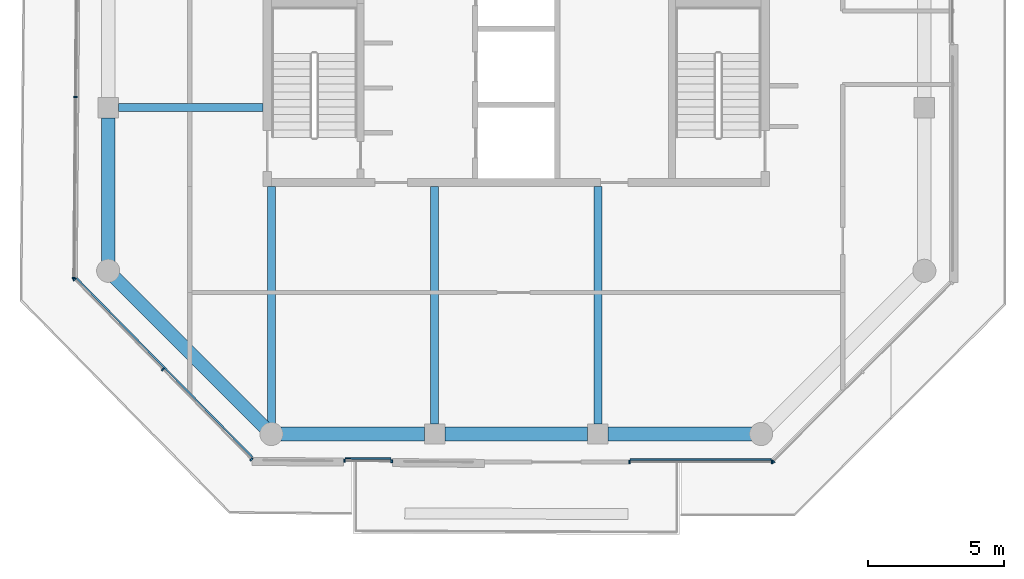
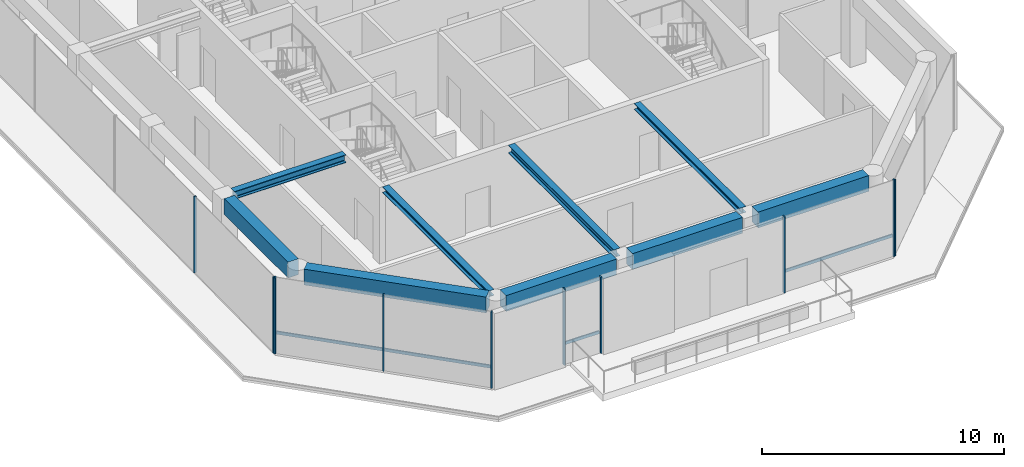
# One storey, part 2 of 18: 13 members, 9 beams, 5 elements without a shape of their own.
"""IFC4 building model written with IfcOpenShell, lengths in metres."""

from ifc_helpers import new_model, si_unit, direction, frame, origin, origin_2d, place, context, subcontext, project, spatial, rectangle, i_section, extrude, material, layer, layer_set, material_profile, profile_set, type_object, element, aggregate, save


model = new_model("IFC4")

# Units and contexts
model_context = context("Model", 3, precision=1e-05, world=origin(), true_north=direction((0.0, 1.0)))
body_context = subcontext(model_context, "Body", "Model", "MODEL_VIEW")
ifc_project = project(units=[si_unit("LENGTHUNIT", "METRE"), si_unit("AREAUNIT", "SQUARE_METRE"), si_unit("VOLUMEUNIT", "CUBIC_METRE"), si_unit("PLANEANGLEUNIT", "RADIAN"), si_unit("MASSUNIT", "GRAM", prefix="KILO")], contexts=[model_context])

# Site, building, storey
site_placement = place(None, origin())
site = spatial("IfcSite", under=ifc_project, at=site_placement, CompositionType="ELEMENT")
building_placement = place(site_placement, origin())
building = spatial("IfcBuilding", under=site, at=building_placement, Name="Welwitschia Terrace Campus", CompositionType="ELEMENT")
storey_placement = place(building_placement, frame((0.0, 0.0, 285.199951171875)))
storey = spatial("IfcBuildingStorey", under=building, at=storey_placement, Name="L63", CompositionType="ELEMENT", Elevation=285.199951171875)

# Beams
ifc_material_1 = material(Name="Steel S355", Category="steel")
ifc_material_profile_1 = material_profile(ifc_material_1, i_section(OverallWidth=0.300048828125, OverallDepth=0.300048828125, WebThickness=0.010986328125, FlangeThickness=0.01904296875, FilletRadius=0.027099609375, at=origin_2d()))
ifc_profile_set_1 = profile_set([ifc_material_profile_1], Name="Steel S355")
beam_type_1 = type_object("IfcBeamType", Name="Interior girder HE 300 B", PredefinedType="BEAM", material=ifc_profile_set_1)
beam_1_placement = place(storey_placement, frame((6.0, -3.611572265625, 3.699951171875), z_axis=(0.0, 1.0, 0.0), x_axis=(-1.0, 0.0, 0.0)))
element("IfcBeam", 1, at=beam_1_placement, inside=storey, type_object=beam_type_1, Name="Girder GB6", PredefinedType="BEAM", context=body_context, shape_type="SweptSolid", body=[
    extrude(i_section(OverallWidth=0.300048828125, OverallDepth=0.300048828125, WebThickness=0.010986328125, FlangeThickness=0.01904296875, FilletRadius=0.027099609375, at=origin_2d()), origin(), (0.0, 0.0, 1.0), 8.710693359375),
])
beam_2_placement = place(storey_placement, frame((18.0, -3.634521484375, 3.699951171875), z_axis=(0.0, 1.0, 0.0), x_axis=(-1.0, 0.0, 0.0)))
element("IfcBeam", 2, at=beam_2_placement, inside=storey, type_object=beam_type_1, Name="Girder GB6", PredefinedType="BEAM", context=body_context, shape_type="SweptSolid", body=[
    extrude(i_section(OverallWidth=0.300048828125, OverallDepth=0.300048828125, WebThickness=0.010986328125, FlangeThickness=0.01904296875, FilletRadius=0.027099609375, at=origin_2d()), origin(), (0.0, 0.0, 1.0), 8.733642578125),
])

# Curtain wall, members
ifc_material_2 = material(Name="Bronze anodised aluminium", Category="aluminium")
ifc_layer = layer(ifc_material_2, 0.1201171875)
ifc_layer_set = layer_set([ifc_layer], Name="Bronze anodised aluminium")
curtain_wall_type = type_object("IfcCurtainWallType", Name="Curtain wall CW2 tower 6000", PredefinedType="NOTDEFINED", material=ifc_layer_set)
curtain_wall_1_placement = place(storey_placement, origin())
curtain_wall_1 = element("IfcCurtainWall", 3, at=curtain_wall_1_placement, inside=storey, type_object=curtain_wall_type, Name="CW L63.2.0", PredefinedType="NOTDEFINED")
ifc_material_3 = material(Name="Bronze anodised aluminium", Category="aluminium")
ifc_material_profile_2 = material_profile(ifc_material_3, rectangle(XDim=0.1201171875, YDim=0.06005859375, at=origin_2d()))
ifc_profile_set_2 = profile_set([ifc_material_profile_2], Name="Bronze anodised aluminium")
member_type_1 = type_object("IfcMemberType", Name="Mullion 60x120", PredefinedType="MULLION", material=ifc_profile_set_2)
member_1_placement = place(storey_placement, frame((-1.205078125, 8.392333984375, 0.0), z_axis=(0.0, 0.0, 1.0), x_axis=(0.999961923064, -0.008726535498, 0.0)))
member_1 = element("IfcMember", 4, at=member_1_placement, type_object=member_type_1, Name="Mullion L63.2.0.3", PredefinedType="MULLION", context=body_context, shape_type="SweptSolid", body=[
    extrude(rectangle(XDim=0.1201171875, YDim=0.06005859375, at=origin_2d()), origin(), (0.0, 0.0, 1.0), 3.85009765625),
])
member_2_placement = place(storey_placement, frame((-1.26318359375, 1.7353515625, 0.0), z_axis=(0.0, 0.0, 1.0), x_axis=(0.999961923064, -0.008726535498, 0.0)))
member_2 = element("IfcMember", 5, at=member_2_placement, type_object=member_type_1, Name="Mullion L63.2.0.4", PredefinedType="MULLION", context=body_context, shape_type="SweptSolid", body=[
    extrude(rectangle(XDim=0.1201171875, YDim=0.06005859375, at=origin_2d()), origin(), (0.0, 0.0, 1.0), 3.85009765625),
])
aggregate(curtain_wall_1, [member_1, member_2])

curtain_wall_2_placement = place(storey_placement, origin())
curtain_wall_2 = element("IfcCurtainWall", 6, at=curtain_wall_2_placement, inside=storey, type_object=curtain_wall_type, Name="CW L63.3.0", PredefinedType="NOTDEFINED")
member_3_placement = place(storey_placement, frame((-1.242431640625, 1.683837890625, 0.0), z_axis=(0.0, 0.0, 1.0), x_axis=(0.713250449154, 0.7009092643, 0.0)))
member_3 = element("IfcMember", 7, at=member_3_placement, type_object=member_type_1, Name="Mullion L63.3.0.0", PredefinedType="MULLION", context=body_context, shape_type="SweptSolid", body=[
    extrude(rectangle(XDim=0.1201171875, YDim=0.06005859375, at=origin_2d()), origin(), (0.0, 0.0, 1.0), 3.85009765625),
])
member_4_placement = place(storey_placement, frame((2.00927734375, -1.625, 0.0), z_axis=(0.0, 0.0, 1.0), x_axis=(0.713250449154, 0.7009092643, 0.0)))
member_4 = element("IfcMember", 8, at=member_4_placement, type_object=member_type_1, Name="Mullion L63.3.0.1", PredefinedType="MULLION", context=body_context, shape_type="SweptSolid", body=[
    extrude(rectangle(XDim=0.1201171875, YDim=0.06005859375, at=origin_2d()), origin(), (0.0, 0.0, 1.0), 3.85009765625),
])
member_5_placement = place(storey_placement, frame((5.260986328125, -4.93408203125, 0.0), z_axis=(0.0, 0.0, 1.0), x_axis=(0.713250449154, 0.7009092643, 0.0)))
member_5 = element("IfcMember", 9, at=member_5_placement, type_object=member_type_1, Name="Mullion L63.3.0.2", PredefinedType="MULLION", context=body_context, shape_type="SweptSolid", body=[
    extrude(rectangle(XDim=0.1201171875, YDim=0.06005859375, at=origin_2d()), origin(), (0.0, 0.0, 1.0), 3.85009765625),
])

curtain_wall_3_placement = place(storey_placement, origin())
curtain_wall_3 = element("IfcCurtainWall", 10, at=curtain_wall_3_placement, inside=storey, type_object=curtain_wall_type, Name="CW L63.4.S0", PredefinedType="NOTDEFINED")
member_6_placement = place(storey_placement, frame((8.6845703125, -4.985107421875, 0.0), z_axis=(0.0, 0.0, 1.0), x_axis=(0.008726535498, 0.999961923064, 0.0)))
member_6 = element("IfcMember", 11, at=member_6_placement, type_object=member_type_1, Name="Mullion L63.4.S0.0", PredefinedType="MULLION", context=body_context, shape_type="SweptSolid", body=[
    extrude(rectangle(XDim=0.1201171875, YDim=0.06005859375, at=origin_2d()), origin(), (0.0, 0.0, 1.0), 3.85009765625),
])
member_7_placement = place(storey_placement, frame((10.424560546875, -5.000244140625, 0.0), z_axis=(0.0, 0.0, 1.0), x_axis=(0.008726535498, 0.999961923064, 0.0)))
member_7 = element("IfcMember", 12, at=member_7_placement, type_object=member_type_1, Name="Mullion L63.4.S0.1", PredefinedType="MULLION", context=body_context, shape_type="SweptSolid", body=[
    extrude(rectangle(XDim=0.1201171875, YDim=0.06005859375, at=origin_2d()), origin(), (0.0, 0.0, 1.0), 3.85009765625),
])

curtain_wall_4_placement = place(storey_placement, origin())
curtain_wall_4 = element("IfcCurtainWall", 13, at=curtain_wall_4_placement, inside=storey, type_object=curtain_wall_type, Name="CW L63.5.1", PredefinedType="NOTDEFINED")
member_8_placement = place(storey_placement, frame((19.156982421875, -5.030029296875, 0.0), z_axis=(0.0, 0.0, 1.0), x_axis=(0.0, 1.0, 0.0)))
member_8 = element("IfcMember", 14, at=member_8_placement, type_object=member_type_1, Name="Mullion L63.5.1.0", PredefinedType="MULLION", context=body_context, shape_type="SweptSolid", body=[
    extrude(rectangle(XDim=0.1201171875, YDim=0.06005859375, at=origin_2d()), origin(), (0.0, 0.0, 1.0), 3.85009765625),
])
member_9_placement = place(storey_placement, frame((24.396728515625, -5.030029296875, 0.0), z_axis=(0.0, 0.0, 1.0), x_axis=(0.0, 1.0, 0.0)))
member_9 = element("IfcMember", 15, at=member_9_placement, type_object=member_type_1, Name="Mullion L63.5.1.1", PredefinedType="MULLION", context=body_context, shape_type="SweptSolid", body=[
    extrude(rectangle(XDim=0.1201171875, YDim=0.06005859375, at=origin_2d()), origin(), (0.0, 0.0, 1.0), 3.85009765625),
])

# Curtain wall, member
curtain_wall_5_placement = place(storey_placement, origin())
curtain_wall_5 = element("IfcCurtainWall", 16, at=curtain_wall_5_placement, inside=storey, type_object=curtain_wall_type, Name="CW L63.6.0", PredefinedType="NOTDEFINED")
member_10_placement = place(storey_placement, frame((24.44775390625, -5.0087890625, 0.0), z_axis=(0.0, 0.0, 1.0), x_axis=(-0.707106781187, 0.707106781187, 0.0)))
member_10 = element("IfcMember", 17, at=member_10_placement, type_object=member_type_1, Name="Mullion L63.6.0.0", PredefinedType="MULLION", context=body_context, shape_type="SweptSolid", body=[
    extrude(rectangle(XDim=0.1201171875, YDim=0.06005859375, at=origin_2d()), origin(), (0.0, 0.0, 1.0), 3.85009765625),
])
aggregate(curtain_wall_5, [member_10])

# Beams
ifc_material_4 = material(Name="Steel S355", Category="steel")
ifc_material_profile_3 = material_profile(ifc_material_4, i_section(OverallWidth=0.300048828125, OverallDepth=0.39990234375, WebThickness=0.013427734375, FlangeThickness=0.02392578125, FilletRadius=0.027099609375, at=origin_2d()))
ifc_profile_set_3 = profile_set([ifc_material_profile_3], Name="Steel S355")
beam_type_2 = type_object("IfcBeamType", Name="Primary beam HE 400 B", PredefinedType="BEAM", material=ifc_profile_set_3)
beam_3_placement = place(storey_placement, frame((12.0, -3.62451171875, 3.650146484375), z_axis=(0.0, 1.0, 0.0), x_axis=(-1.0, 0.0, 0.0)))
element("IfcBeam", 18, at=beam_3_placement, inside=storey, type_object=beam_type_2, Name="Primary beam PB6", PredefinedType="BEAM", context=body_context, shape_type="SweptSolid", body=[
    extrude(i_section(OverallWidth=0.300048828125, OverallDepth=0.39990234375, WebThickness=0.013427734375, FlangeThickness=0.02392578125, FilletRadius=0.027099609375, at=origin_2d()), origin(), (0.0, 0.0, 1.0), 8.724609375),
])
beam_4_placement = place(storey_placement, frame((0.37548828125, 8.0, 3.650146484375), z_axis=(1.0, 0.0, 0.0), x_axis=(0.0, 1.0, 0.0)))
element("IfcBeam", 19, at=beam_4_placement, inside=storey, type_object=beam_type_2, Name="Primary beam PB6", PredefinedType="BEAM", context=body_context, shape_type="SweptSolid", body=[
    extrude(i_section(OverallWidth=0.300048828125, OverallDepth=0.39990234375, WebThickness=0.013427734375, FlangeThickness=0.02392578125, FilletRadius=0.027099609375, at=origin_2d()), origin(), (0.0, 0.0, 1.0), 5.324462890625),
])
ifc_material_5 = material(Name="Concrete C50/60", Category="concrete")
ifc_material_profile_4 = material_profile(ifc_material_5, rectangle(XDim=0.5, YDim=0.800048828125, at=origin_2d()))
ifc_profile_set_4 = profile_set([ifc_material_profile_4], Name="Concrete C50/60")
beam_type_3 = type_object("IfcBeamType", Name="Ring spandrel 500x800", PredefinedType="SPANDREL", material=ifc_profile_set_4)
beam_5_placement = place(storey_placement, frame((0.24365234375, 1.75634765625, 3.449951171875), z_axis=(0.707106781187, -0.707106781187, 0.0), x_axis=(0.707106781187, 0.707106781187, 0.0)))
element("IfcBeam", 20, at=beam_5_placement, inside=storey, type_object=beam_type_3, Name="Spandrel SP4", PredefinedType="SPANDREL", context=body_context, shape_type="SweptSolid", body=[
    extrude(rectangle(XDim=0.5, YDim=0.800048828125, at=origin_2d()), origin(), (0.0, 0.0, 1.0), 7.796142578125),
])
beam_6_placement = place(storey_placement, frame((6.344482421875, -4.0, 3.449951171875), z_axis=(1.0, 0.0, 0.0), x_axis=(0.0, 1.0, 0.0)))
element("IfcBeam", 21, at=beam_6_placement, inside=storey, type_object=beam_type_3, Name="Spandrel SP4", PredefinedType="SPANDREL", context=body_context, shape_type="SweptSolid", body=[
    extrude(rectangle(XDim=0.5, YDim=0.800048828125, at=origin_2d()), origin(), (0.0, 0.0, 1.0), 5.280029296875),
])
beam_7_placement = place(storey_placement, frame((12.37548828125, -4.0, 3.449951171875), z_axis=(1.0, 0.0, 0.0), x_axis=(0.0, 1.0, 0.0)))
element("IfcBeam", 22, at=beam_7_placement, inside=storey, type_object=beam_type_3, Name="Spandrel SP4", PredefinedType="SPANDREL", context=body_context, shape_type="SweptSolid", body=[
    extrude(rectangle(XDim=0.5, YDim=0.800048828125, at=origin_2d()), origin(), (0.0, 0.0, 1.0), 5.2490234375),
])
for number, where, z_axis, x_axis, name in (
    (23, (18.37548828125, -4.0, 3.449951171875), (1.0, 0.0, 0.0), (0.0, 1.0, 0.0), "Spandrel SP4"),
    (24, (0.0, 7.62451171875, 3.449951171875), (0.0, -1.0, 0.0), (1.0, 0.0, 0.0), "Spandrel SP4"),
):
    element("IfcBeam", number, at=place(storey_placement, frame(where, z_axis=z_axis, x_axis=x_axis)), inside=storey, type_object=beam_type_3, Name=name, PredefinedType="SPANDREL", context=body_context, shape_type="SweptSolid", body=[
        extrude(rectangle(XDim=0.5, YDim=0.800048828125, at=origin_2d()), origin(), (0.0, 0.0, 1.0), 5.280029296875),
    ])

# Member
ifc_material_6 = material(Name="Bronze anodised aluminium", Category="aluminium")
ifc_material_profile_5 = material_profile(ifc_material_6, rectangle(XDim=0.06005859375, YDim=0.14990234375, at=origin_2d()))
ifc_profile_set_5 = profile_set([ifc_material_profile_5], Name="Bronze anodised aluminium")
member_type_2 = type_object("IfcMemberType", Name="Transom 60x150", PredefinedType="USERDEFINED", material=ifc_profile_set_5)
member_11_placement = place(storey_placement, frame((-1.1572265625, 1.7255859375, 1.0), z_axis=(0.700909228055, -0.713250484772, 0.0), x_axis=(0.713250484772, 0.700909228055, 0.0)))
member_11 = element("IfcMember", 25, at=member_11_placement, type_object=member_type_2, Name="Transom L63.3.0", ObjectType="TRANSOM", PredefinedType="USERDEFINED", context=body_context, shape_type="SweptSolid", body=[
    extrude(rectangle(XDim=0.06005859375, YDim=0.14990234375, at=origin_2d()), origin(), (0.0, 0.0, 1.0), 9.21875),
])

aggregate(curtain_wall_2, [member_3, member_4, member_5, member_11])

member_12_placement = place(storey_placement, frame((8.71533203125, -4.8955078125, 1.0), z_axis=(0.999961985908, -0.00871933137, 0.0), x_axis=(0.00871933137, 0.999961985908, 0.0)))
member_12 = element("IfcMember", 26, at=member_12_placement, type_object=member_type_2, Name="Transom L63.4.S0", ObjectType="TRANSOM", PredefinedType="USERDEFINED", context=body_context, shape_type="SweptSolid", body=[
    extrude(rectangle(XDim=0.06005859375, YDim=0.14990234375, at=origin_2d()), origin(), (0.0, 0.0, 1.0), 1.679931640625),
])

aggregate(curtain_wall_3, [member_6, member_7, member_12])

member_13_placement = place(storey_placement, frame((19.18701171875, -4.93994140625, 1.0), z_axis=(1.0, 0.0, 0.0), x_axis=(0.0, 1.0, 0.0)))
member_13 = element("IfcMember", 27, at=member_13_placement, type_object=member_type_2, Name="Transom L63.5.1", ObjectType="TRANSOM", PredefinedType="USERDEFINED", context=body_context, shape_type="SweptSolid", body=[
    extrude(rectangle(XDim=0.06005859375, YDim=0.14990234375, at=origin_2d()), origin(), (0.0, 0.0, 1.0), 5.1796875),
])

aggregate(curtain_wall_4, [member_8, member_9, member_13])

save(model, "model.ifc")
